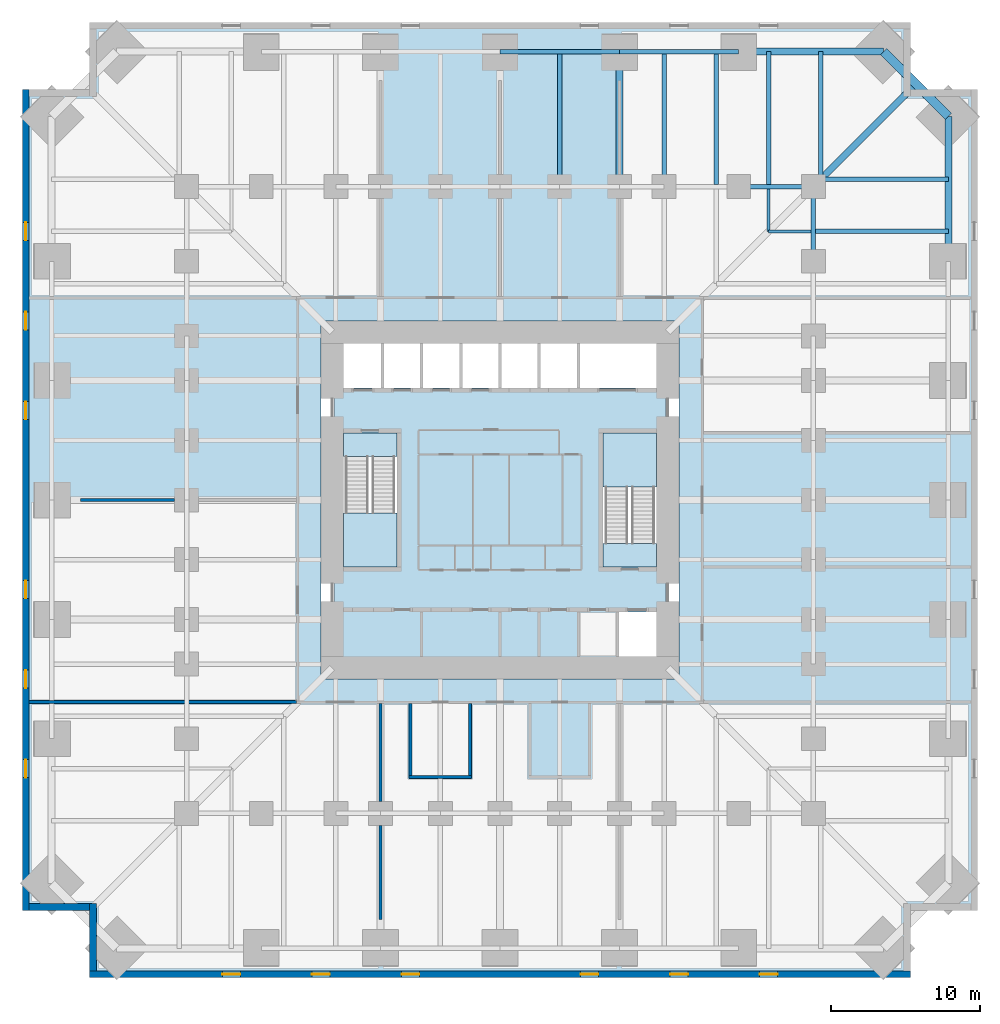
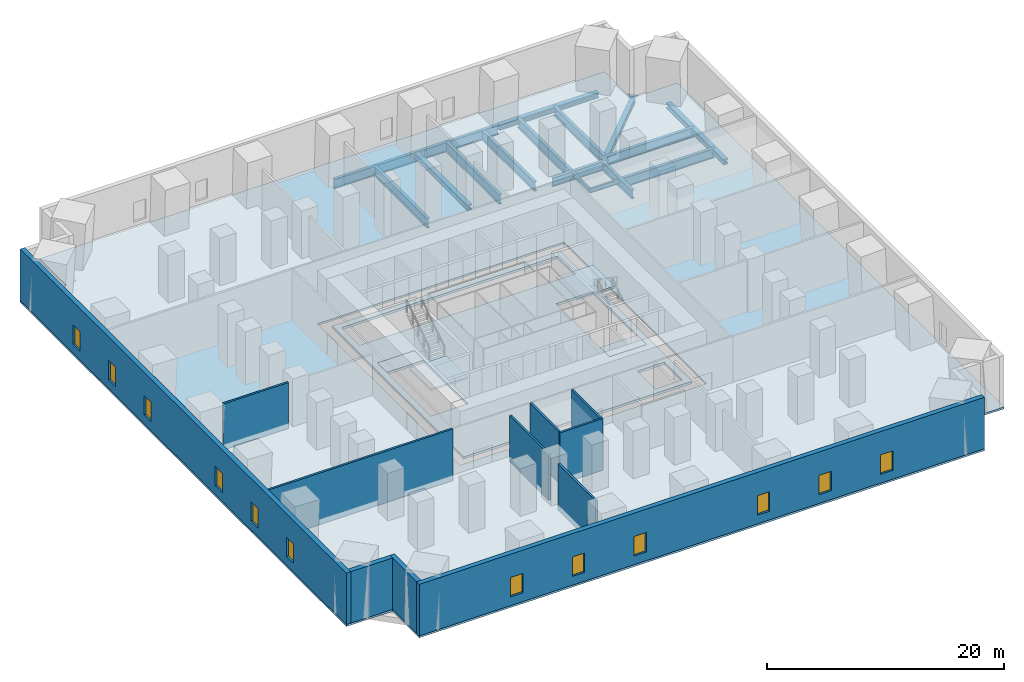
# One storey, part 3 of 8: 18 beams, 12 windows, 11 walls, 6 slabs, 12 openings, 2 elements without a shape of their own.
"""IFC4 building model written with IfcOpenShell, lengths in metres."""

from ifc_helpers import new_model, si_unit, direction, frame, frame_2d, origin, origin_2d, place, context, subcontext, project, spatial, polyline, rectangle, hollow_rectangle, i_section, outline, extrude, material, layer, layer_set, material_profile, profile_set, type_object, element, fill, aggregate, save


model = new_model("IFC4")

# Units and contexts
model_context = context("Model", 3, precision=1e-05, world=origin(), true_north=direction((0.0, 1.0)))
body_context = subcontext(model_context, "Body", "Model", "MODEL_VIEW")
ifc_project = project(units=[si_unit("LENGTHUNIT", "METRE"), si_unit("AREAUNIT", "SQUARE_METRE"), si_unit("VOLUMEUNIT", "CUBIC_METRE"), si_unit("PLANEANGLEUNIT", "RADIAN"), si_unit("MASSUNIT", "GRAM", prefix="KILO")], contexts=[model_context])

# Site, building, storey
site_placement = place(None, origin())
site = spatial("IfcSite", under=ifc_project, at=site_placement, CompositionType="ELEMENT")
building_placement = place(site_placement, origin())
building = spatial("IfcBuilding", under=site, at=building_placement, Name="Peilmerk Tower", CompositionType="ELEMENT")
storey_placement = place(building_placement, frame((0.0, 0.0, 21.0)))
storey = spatial("IfcBuildingStorey", under=building, at=storey_placement, Name="L04", CompositionType="ELEMENT", Elevation=21.0)

# Beams
ifc_material_1 = material(Name="Steel S355", Category="steel")
ifc_material_profile_1 = material_profile(ifc_material_1, i_section(OverallWidth=0.302001953125, OverallDepth=1.008056640625, WebThickness=0.02099609375, FlangeThickness=0.0400390625, at=origin_2d()), Name="HEM 1000")
ifc_profile_set_1 = profile_set([ifc_material_profile_1], Name="Steel S355")
beam_type_1 = type_object("IfcBeamType", Name="B1 HEM 1000 edge beam", PredefinedType="SPANDREL", material=ifc_profile_set_1)
for number, where, z_axis, x_axis, name in (
    (1, (16.0, 30.050048828125, -0.7041015625), (-1.0, 0.0, 0.0), (0.0, -1.0, 0.0), "Edge beam L04"),
    (2, (8.0, 30.050048828125, -0.7041015625), (-1.0, 0.0, 0.0), (0.0, -1.0, 0.0), "Edge beam L04"),
):
    element("IfcBeam", number, at=place(storey_placement, frame(where, z_axis=z_axis, x_axis=x_axis)), inside=storey, type_object=beam_type_1, Name=name, PredefinedType="SPANDREL", context=body_context, shape_type="SweptSolid", body=[
        extrude(i_section(OverallWidth=0.302001953125, OverallDepth=1.008056640625, WebThickness=0.02099609375, FlangeThickness=0.0400390625, at=origin_2d()), origin(), (0.0, 0.0, 1.0), 8.0),
    ])
ifc_material_profile_2 = material_profile(ifc_material_1, i_section(OverallWidth=0.300048828125, OverallDepth=0.989990234375, WebThickness=0.0166015625, FlangeThickness=0.031005859375, at=origin_2d()), Name="HEA 1000")
ifc_profile_set_2 = profile_set([ifc_material_profile_2], Name="Steel S355")
beam_type_2 = type_object("IfcBeamType", Name="B14 HEA 1000 floor girder", PredefinedType="BEAM", material=ifc_profile_set_2)
for number, where, z_axis, x_axis, name in (
    (3, (14.5, 21.15087890625, -0.695068359375), (0.0, 1.0, 0.0), (-1.0, 0.0, 0.0), "Floor beam L04"),
    (4, (18.0, 21.15087890625, -0.695068359375), (0.0, 1.0, 0.0), (-1.0, 0.0, 0.0), "Floor beam L04"),
    (5, (21.15087890625, 18.0, -0.695068359375), (1.0, 0.0, 0.0), (0.0, 1.0, 0.0), "Floor beam L04"),
):
    element("IfcBeam", number, at=place(storey_placement, frame(where, z_axis=z_axis, x_axis=x_axis)), inside=storey, type_object=beam_type_2, Name=name, PredefinedType="BEAM", context=body_context, shape_type="SweptSolid", body=[
        extrude(i_section(OverallWidth=0.300048828125, OverallDepth=0.989990234375, WebThickness=0.0166015625, FlangeThickness=0.031005859375, at=origin_2d()), origin(), (0.0, 0.0, 1.0), 8.899169921875),
    ])
for number, where, z_axis, x_axis, name in (
    (6, (21.5, 21.5, -0.695068359375), (0.0, 1.0, 0.0), (-1.0, 0.0, 0.0), "Floor beam L04"),
    (7, (21.5, 21.5, -0.695068359375), (1.0, 0.0, 0.0), (0.0, 1.0, 0.0), "Floor beam L04"),
):
    element("IfcBeam", number, at=place(storey_placement, frame(where, z_axis=z_axis, x_axis=x_axis)), inside=storey, type_object=beam_type_2, Name=name, PredefinedType="BEAM", context=body_context, shape_type="SweptSolid", body=[
        extrude(i_section(OverallWidth=0.300048828125, OverallDepth=0.989990234375, WebThickness=0.0166015625, FlangeThickness=0.031005859375, at=origin_2d()), origin(), (0.0, 0.0, 1.0), 8.550048828125),
    ])
ifc_material_2 = material(Name="Steel S460", Category="steel")
ifc_material_profile_3 = material_profile(ifc_material_2, i_section(OverallWidth=0.4541015625, OverallDepth=0.569091796875, WebThickness=0.077880859375, FlangeThickness=0.125, at=origin_2d()), Name="HD 400x1086")
ifc_profile_set_3 = profile_set([ifc_material_profile_3], Name="Steel S460")
beam_type_3 = type_object("IfcBeamType", Name="B17 HD 400x1086 edge beam", PredefinedType="SPANDREL", material=ifc_profile_set_3)
for number, where, z_axis, x_axis, name in (
    (8, (25.699951171875, 30.050048828125, -0.484619140625), (-1.0, 0.0, 0.0), (0.0, -1.0, 0.0), "Edge beam L04"),
    (9, (30.050048828125, 16.0, -0.484619140625), (0.0, 1.0, 0.0), (-1.0, 0.0, 0.0), "Edge beam L04"),
):
    element("IfcBeam", number, at=place(storey_placement, frame(where, z_axis=z_axis, x_axis=x_axis)), inside=storey, type_object=beam_type_3, Name=name, PredefinedType="SPANDREL", context=body_context, shape_type="SweptSolid", body=[
        extrude(i_section(OverallWidth=0.4541015625, OverallDepth=0.569091796875, WebThickness=0.077880859375, FlangeThickness=0.125, at=origin_2d()), origin(), (0.0, 0.0, 1.0), 9.699951171875),
    ])
ifc_material_profile_4 = material_profile(ifc_material_1, i_section(OverallWidth=0.302001953125, OverallDepth=0.909912109375, WebThickness=0.02099609375, FlangeThickness=0.0400390625, at=origin_2d()), Name="HEM 900")
ifc_profile_set_4 = profile_set([ifc_material_profile_4], Name="Steel S355")
beam_type_4 = type_object("IfcBeamType", Name="B18 HEM 900 ring girder", PredefinedType="BEAM", material=ifc_profile_set_4)
for number, where, z_axis, x_axis, name in (
    (10, (21.0, 21.0, -0.655029296875), (-1.0, 0.0, 0.0), (0.0, -1.0, 0.0), "Ring girder L04"),
    (11, (21.0, 16.0, -0.655029296875), (0.0, 1.0, 0.0), (-1.0, 0.0, 0.0), "Ring girder L04"),
):
    element("IfcBeam", number, at=place(storey_placement, frame(where, z_axis=z_axis, x_axis=x_axis)), inside=storey, type_object=beam_type_4, Name=name, PredefinedType="BEAM", context=body_context, shape_type="SweptSolid", body=[
        extrude(i_section(OverallWidth=0.302001953125, OverallDepth=0.909912109375, WebThickness=0.02099609375, FlangeThickness=0.0400390625, at=origin_2d()), origin(), (0.0, 0.0, 1.0), 5.0),
    ])
ifc_material_profile_5 = material_profile(ifc_material_2, hollow_rectangle(XDim=0.60009765625, YDim=0.60009765625, WallThickness=0.06005859375, at=origin_2d()), Name="BOX 600x600x60")
ifc_profile_set_5 = profile_set([ifc_material_profile_5], Name="Steel S460")
beam_type_5 = type_object("IfcBeamType", Name="B20 BOX 600x600x60 notch beam", PredefinedType="SPANDREL", material=ifc_profile_set_5)
beam_1_placement = place(storey_placement, frame((25.699951171875, 30.050048828125, -0.5), z_axis=(0.707106781187, -0.707106781187, 0.0), x_axis=(0.707106781187, 0.707106781187, 0.0)))
element("IfcBeam", 12, at=beam_1_placement, inside=storey, type_object=beam_type_5, Name="Notch beam L04", PredefinedType="SPANDREL", context=body_context, shape_type="SweptSolid", body=[
    extrude(hollow_rectangle(XDim=0.60009765625, YDim=0.60009765625, WallThickness=0.06005859375, at=origin_2d()), origin(), (0.0, 0.0, 1.0), 6.15185546875),
])
ifc_material_profile_6 = material_profile(ifc_material_1, i_section(OverallWidth=0.18994140625, OverallDepth=0.449951171875, WebThickness=0.009521484375, FlangeThickness=0.0146484375, at=origin_2d()), Name="IPE 450")
ifc_profile_set_6 = profile_set([ifc_material_profile_6], Name="Steel S355")
beam_type_6 = type_object("IfcBeamType", Name="B21 IPE 450 floor beam", PredefinedType="BEAM", material=ifc_profile_set_6)
for number, where, z_axis, x_axis, name in (
    (13, (18.0, 18.0, -0.425048828125), (0.0, 1.0, 0.0), (-1.0, 0.0, 0.0), "Floor beam L04"),
    (14, (18.0, 18.0, -0.425048828125), (1.0, 0.0, 0.0), (0.0, 1.0, 0.0), "Floor beam L04"),
):
    element("IfcBeam", number, at=place(storey_placement, frame(where, z_axis=z_axis, x_axis=x_axis)), inside=storey, type_object=beam_type_6, Name=name, PredefinedType="BEAM", context=body_context, shape_type="SweptSolid", body=[
        extrude(i_section(OverallWidth=0.18994140625, OverallDepth=0.449951171875, WebThickness=0.009521484375, FlangeThickness=0.0146484375, at=origin_2d()), origin(), (0.0, 0.0, 1.0), 2.84912109375),
    ])
ifc_material_profile_7 = material_profile(ifc_material_1, i_section(OverallWidth=0.300048828125, OverallDepth=1.0, WebThickness=0.01904296875, FlangeThickness=0.035888671875, at=origin_2d()), Name="HEB 1000")
ifc_profile_set_7 = profile_set([ifc_material_profile_7], Name="Steel S355")
beam_type_7 = type_object("IfcBeamType", Name="B5 HEB 1000 floor girder", PredefinedType="BEAM", material=ifc_profile_set_7)
for number, where, z_axis, x_axis, name in (
    (15, (11.0, 21.0, -0.699951171875), (0.0, 1.0, 0.0), (-1.0, 0.0, 0.0), "Floor beam L04"),
    (16, (4.0, 21.0, -0.699951171875), (0.0, 1.0, 0.0), (-1.0, 0.0, 0.0), "Floor beam L04"),
):
    element("IfcBeam", number, at=place(storey_placement, frame(where, z_axis=z_axis, x_axis=x_axis)), inside=storey, type_object=beam_type_7, Name=name, PredefinedType="BEAM", context=body_context, shape_type="SweptSolid", body=[
        extrude(i_section(OverallWidth=0.300048828125, OverallDepth=1.0, WebThickness=0.01904296875, FlangeThickness=0.035888671875, at=origin_2d()), origin(), (0.0, 0.0, 1.0), 9.050048828125),
    ])
ifc_material_profile_8 = material_profile(ifc_material_2, i_section(OverallWidth=0.4541015625, OverallDepth=0.569091796875, WebThickness=0.077880859375, FlangeThickness=0.125, at=origin_2d()), Name="HD 400x1086")
ifc_profile_set_8 = profile_set([ifc_material_profile_8], Name="Steel S460")
beam_type_8 = type_object("IfcBeamType", Name="B9 HD 400x1086 corner girder", PredefinedType="BEAM", material=ifc_profile_set_8)
beam_2_placement = place(storey_placement, frame((8.0, 21.0, -0.484619140625), z_axis=(0.0, 1.0, 0.0), x_axis=(-1.0, 0.0, 0.0)))
element("IfcBeam", 17, at=beam_2_placement, inside=storey, type_object=beam_type_8, Name="Floor girder L04", PredefinedType="BEAM", context=body_context, shape_type="SweptSolid", body=[
    extrude(i_section(OverallWidth=0.4541015625, OverallDepth=0.569091796875, WebThickness=0.077880859375, FlangeThickness=0.125, at=origin_2d()), origin(), (0.0, 0.0, 1.0), 9.050048828125),
])
beam_3_placement = place(storey_placement, frame((21.0, 21.0, -0.484619140625), z_axis=(0.707106781187, 0.707106781187, 0.0), x_axis=(-0.707106781187, 0.707106781187, 0.0)))
element("IfcBeam", 18, at=beam_3_placement, inside=storey, type_object=beam_type_8, Name="Corner girder L04", PredefinedType="BEAM", context=body_context, shape_type="SweptSolid", body=[
    extrude(i_section(OverallWidth=0.4541015625, OverallDepth=0.569091796875, WebThickness=0.077880859375, FlangeThickness=0.125, at=origin_2d()), origin(), (0.0, 0.0, 1.0), 9.72265625),
])

# Slabs
ifc_material_3 = material(Name="Concrete C55/67", Category="concrete")
ifc_layer_1 = layer(ifc_material_3, 0.25)
ifc_layer_set_1 = layer_set([ifc_layer_1], Name="Concrete C55/67")
slab_type_1 = type_object("IfcSlabType", Name="CS250 250 core floor slab", PredefinedType="FLOOR", material=ifc_layer_set_1)
slab_1_placement = place(storey_placement, frame((0.0, 0.0, -0.25)))
element("IfcSlab", 19, at=slab_1_placement, inside=storey, type_object=slab_type_1, Name="Core slab L04", PredefinedType="FLOOR", context=body_context, shape_type="SweptSolid", body=[
    extrude(outline(polyline([(-11.10009765625, 11.10009765625), (-11.10009765625, -11.10009765625), (11.10009765625, -11.10009765625), (11.10009765625, 11.10009765625), (-11.10009765625, 11.10009765625)]), holes=[polyline([(10.5, 7.5), (-10.5, 7.5), (-10.5, 10.5), (10.5, 10.5), (10.5, 7.5)]), polyline([(7.875, -10.5), (7.875, -7.5), (10.5, -7.5), (10.5, -10.5), (7.875, -10.5)]), polyline([(-10.5, 4.5), (-6.89990234375, 4.5), (-6.89990234375, -4.5), (-10.5, -4.5), (-10.5, 4.5)]), polyline([(10.5, 4.5), (10.5, -4.5), (6.89990234375, -4.5), (6.89990234375, 4.5), (10.5, 4.5)])]), origin(), (0.0, 0.0, 1.0), 0.25),
])
ifc_material_4 = material(Name="Concrete C35/45", Category="concrete")
ifc_layer_2 = layer(ifc_material_4, 0.199951171875)
ifc_layer_set_2 = layer_set([ifc_layer_2], Name="Concrete C35/45")
slab_type_2 = type_object("IfcSlabType", Name="FS200 200 composite floor slab", PredefinedType="FLOOR", material=ifc_layer_set_2)
slab_2_placement = place(storey_placement, frame((0.0, 0.0, -0.199951171875)))
element("IfcSlab", 20, at=slab_2_placement, inside=storey, type_object=slab_type_2, Name="Floor slab L04", PredefinedType="FLOOR", context=body_context, shape_type="SweptSolid", body=[
    extrude(outline(polyline([(-27.5, -32.0), (27.5, -32.0), (27.5, -27.5), (32.0, -27.5), (32.0, 27.5), (27.5, 27.5), (27.5, 32.0), (-27.5, 32.0), (-27.5, 27.5), (-32.0, 27.5), (-32.0, -27.5), (-27.5, -27.5), (-27.5, -32.0)]), holes=[polyline([(12.0, 12.0), (12.0, -12.0), (-12.0, -12.0), (-12.0, 12.0), (12.0, 12.0)])]), origin(), (0.0, 0.0, 1.0), 0.199951171875),
])

# Stair, slab
ifc_material_5 = material(Name="Precast concrete C45/55", Category="concrete")
stair_type_1 = type_object("IfcStairType", Name="ST1 30 risers of 183.3", PredefinedType="HALF_TURN_STAIR", material=ifc_material_5)
stair_1_placement = place(storey_placement, origin())
stair_1 = element("IfcStair", 21, at=stair_1_placement, inside=storey, type_object=stair_type_1, Name="Stair 1 L04 to L05", PredefinedType="HALF_TURN_STAIR")
ifc_layer_3 = layer(ifc_material_4, 0.199951171875)
ifc_layer_set_3 = layer_set([ifc_layer_3], Name="Concrete C35/45")
slab_type_3 = type_object("IfcSlabType", Name="SL1 200 concrete stair landing", PredefinedType="LANDING", material=ifc_layer_set_3)
slab_3_placement = place(storey_placement, frame((0.0, 0.0, 2.550048828125)))
slab_3 = element("IfcSlab", 22, at=slab_3_placement, type_object=slab_type_3, Name="ST1 landing 1", PredefinedType="LANDING", context=body_context, shape_type="SweptSolid", body=[
    extrude(outline(polyline([(-10.5, -4.5), (-6.89990234375, -4.5), (-6.89990234375, -0.8798828125), (-10.5, -0.8798828125), (-10.5, -4.5)])), origin(), (0.0, 0.0, 1.0), 0.199951171875),
])

stair_type_2 = type_object("IfcStairType", Name="ST2 30 risers of 183.3", PredefinedType="HALF_TURN_STAIR", material=ifc_material_5)
stair_2_placement = place(storey_placement, origin())
stair_2 = element("IfcStair", 23, at=stair_2_placement, inside=storey, type_object=stair_type_2, Name="Stair 2 L04 to L05", PredefinedType="HALF_TURN_STAIR")
slab_4_placement = place(storey_placement, frame((0.0, 0.0, 2.550048828125)))
slab_4 = element("IfcSlab", 24, at=slab_4_placement, type_object=slab_type_3, Name="ST2 landing 1", PredefinedType="LANDING", context=body_context, shape_type="SweptSolid", body=[
    extrude(outline(polyline([(6.89990234375, 0.8798828125), (10.5, 0.8798828125), (10.5, 4.5), (6.89990234375, 4.5), (6.89990234375, 0.8798828125)])), origin(), (0.0, 0.0, 1.0), 0.199951171875),
])

# Slab
ifc_layer_4 = layer(ifc_material_4, 0.25)
ifc_layer_set_4 = layer_set([ifc_layer_4], Name="Concrete C35/45")
slab_type_4 = type_object("IfcSlabType", Name="SL2 250 concrete floor landing", PredefinedType="LANDING", material=ifc_layer_set_4)
slab_5_placement = place(storey_placement, frame((0.0, 0.0, -0.25)))
slab_5 = element("IfcSlab", 25, at=slab_5_placement, type_object=slab_type_4, Name="ST1 floor landing", PredefinedType="LANDING", context=body_context, shape_type="SweptSolid", body=[
    extrude(outline(polyline([(-10.5, 2.89990234375), (-6.89990234375, 2.89990234375), (-6.89990234375, 4.5), (-10.5, 4.5), (-10.5, 2.89990234375)])), origin(), (0.0, 0.0, 1.0), 0.25),
])

aggregate(stair_1, [slab_3, slab_5])

slab_6_placement = place(storey_placement, frame((0.0, 0.0, -0.25)))
slab_6 = element("IfcSlab", 26, at=slab_6_placement, type_object=slab_type_4, Name="ST2 floor landing", PredefinedType="LANDING", context=body_context, shape_type="SweptSolid", body=[
    extrude(outline(polyline([(6.89990234375, -4.5), (10.5, -4.5), (10.5, -2.89990234375), (6.89990234375, -2.89990234375), (6.89990234375, -4.5)])), origin(), (0.0, 0.0, 1.0), 0.25),
])

aggregate(stair_2, [slab_4, slab_6])

# Wall, openings, windows
ifc_material_6 = material(Name="Precast concrete C45/55, board-marked finish", Category="concrete")
ifc_layer_5 = layer(ifc_material_6, 0.449951171875)
ifc_layer_set_5 = layer_set([ifc_layer_5], Name="Precast concrete C45/55, board-marked finish")
wall_type_1 = type_object("IfcWallType", Name="EW1 450 precast concrete facade wall, board-marked", PredefinedType="SOLIDWALL", material=ifc_layer_set_5)
wall_1_placement = place(storey_placement, frame((-27.5, -31.77490234375, 0.0), z_axis=(0.0, 0.0, 1.0), x_axis=(1.0, 0.0, 0.0)))
wall_1 = element("IfcWall", 27, at=wall_1_placement, inside=storey, type_object=wall_type_1, Name="Facade wall S L04", PredefinedType="SOLIDWALL", context=body_context, shape_type="SweptSolid", body=[
    extrude(rectangle(XDim=55.0, YDim=0.449951171875, at=frame_2d((27.5, 0.0))), origin(), (0.0, 0.0, 1.0), 5.300048828125),
])
opening_1_placement = place(wall_1_placement, frame((8.89990234375, 0.0, 0.89990234375)))
opening_1 = element("IfcOpeningElement", 28, at=opening_1_placement, cuts=wall_1, Name="Opening W2", PredefinedType="OPENING", context=body_context, shape_type="SweptSolid", body=[
    extrude(rectangle(XDim=1.199951171875, YDim=2.0, at=frame_2d((0.60009765625, 1.0))), frame((0.0, 0.23486328125, 0.0), z_axis=(0.0, -1.0, 0.0), x_axis=(1.0, 0.0, 0.0)), (0.0, 0.0, 1.0), 0.469970703125),
])
opening_2_placement = place(wall_1_placement, frame((14.89990234375, 0.0, 0.89990234375)))
opening_2 = element("IfcOpeningElement", 29, at=opening_2_placement, cuts=wall_1, Name="Opening W2", PredefinedType="OPENING", context=body_context, shape_type="SweptSolid", body=[
    extrude(rectangle(XDim=1.199951171875, YDim=2.0, at=frame_2d((0.60009765625, 1.0))), frame((0.0, 0.23486328125, 0.0), z_axis=(0.0, -1.0, 0.0), x_axis=(1.0, 0.0, 0.0)), (0.0, 0.0, 1.0), 0.469970703125),
])
opening_3_placement = place(wall_1_placement, frame((20.89990234375, 0.0, 0.89990234375)))
opening_3 = element("IfcOpeningElement", 30, at=opening_3_placement, cuts=wall_1, Name="Opening W2", PredefinedType="OPENING", context=body_context, shape_type="SweptSolid", body=[
    extrude(rectangle(XDim=1.199951171875, YDim=2.0, at=frame_2d((0.60009765625, 1.0))), frame((0.0, 0.23486328125, 0.0), z_axis=(0.0, -1.0, 0.0), x_axis=(1.0, 0.0, 0.0)), (0.0, 0.0, 1.0), 0.469970703125),
])
opening_4_placement = place(wall_1_placement, frame((32.89990234375, 0.0, 0.89990234375)))
opening_4 = element("IfcOpeningElement", 31, at=opening_4_placement, cuts=wall_1, Name="Opening W2", PredefinedType="OPENING", context=body_context, shape_type="SweptSolid", body=[
    extrude(rectangle(XDim=1.199951171875, YDim=2.0, at=frame_2d((0.60009765625, 1.0))), frame((0.0, 0.23486328125, 0.0), z_axis=(0.0, -1.0, 0.0), x_axis=(1.0, 0.0, 0.0)), (0.0, 0.0, 1.0), 0.469970703125),
])
opening_5_placement = place(wall_1_placement, frame((38.89990234375, 0.0, 0.89990234375)))
opening_5 = element("IfcOpeningElement", 32, at=opening_5_placement, cuts=wall_1, Name="Opening W2", PredefinedType="OPENING", context=body_context, shape_type="SweptSolid", body=[
    extrude(rectangle(XDim=1.199951171875, YDim=2.0, at=frame_2d((0.60009765625, 1.0))), frame((0.0, 0.23486328125, 0.0), z_axis=(0.0, -1.0, 0.0), x_axis=(1.0, 0.0, 0.0)), (0.0, 0.0, 1.0), 0.469970703125),
])
opening_6_placement = place(wall_1_placement, frame((44.89990234375, 0.0, 0.89990234375)))
opening_6 = element("IfcOpeningElement", 33, at=opening_6_placement, cuts=wall_1, Name="Opening W2", PredefinedType="OPENING", context=body_context, shape_type="SweptSolid", body=[
    extrude(rectangle(XDim=1.199951171875, YDim=2.0, at=frame_2d((0.60009765625, 1.0))), frame((0.0, 0.23486328125, 0.0), z_axis=(0.0, -1.0, 0.0), x_axis=(1.0, 0.0, 0.0)), (0.0, 0.0, 1.0), 0.469970703125),
])
ifc_material_7 = material(Name="Aluminium frame, clear double glazing", Category="aluminium")
window_type = type_object("IfcWindowType", Name="W2 1200x2000 data hall slot window", PartitioningType="SINGLE_PANEL", PredefinedType="WINDOW", material=ifc_material_7)
window_1_placement = place(opening_1_placement, origin())
window_1 = element("IfcWindow", 34, at=window_1_placement, inside=storey, type_object=window_type, Name="Window W2 L04", OverallHeight=2.0, OverallWidth=1.199951171875, PartitioningType="SINGLE_PANEL", PredefinedType="WINDOW", context=body_context, shape_type="SweptSolid", body=[
    extrude(rectangle(XDim=1.199951171875, YDim=2.0, at=frame_2d((0.60009765625, 1.0))), frame((0.0, 0.030029296875, 0.0), z_axis=(0.0, -1.0, 0.0), x_axis=(1.0, 0.0, 0.0)), (0.0, 0.0, 1.0), 0.06005859375),
])
fill(opening_1, window_1)
window_2_placement = place(opening_2_placement, origin())
window_2 = element("IfcWindow", 35, at=window_2_placement, inside=storey, type_object=window_type, Name="Window W2 L04", OverallHeight=2.0, OverallWidth=1.199951171875, PartitioningType="SINGLE_PANEL", PredefinedType="WINDOW", context=body_context, shape_type="SweptSolid", body=[
    extrude(rectangle(XDim=1.199951171875, YDim=2.0, at=frame_2d((0.60009765625, 1.0))), frame((0.0, 0.030029296875, 0.0), z_axis=(0.0, -1.0, 0.0), x_axis=(1.0, 0.0, 0.0)), (0.0, 0.0, 1.0), 0.06005859375),
])
fill(opening_2, window_2)
window_3_placement = place(opening_3_placement, origin())
window_3 = element("IfcWindow", 36, at=window_3_placement, inside=storey, type_object=window_type, Name="Window W2 L04", OverallHeight=2.0, OverallWidth=1.199951171875, PartitioningType="SINGLE_PANEL", PredefinedType="WINDOW", context=body_context, shape_type="SweptSolid", body=[
    extrude(rectangle(XDim=1.199951171875, YDim=2.0, at=frame_2d((0.60009765625, 1.0))), frame((0.0, 0.030029296875, 0.0), z_axis=(0.0, -1.0, 0.0), x_axis=(1.0, 0.0, 0.0)), (0.0, 0.0, 1.0), 0.06005859375),
])
fill(opening_3, window_3)
window_4_placement = place(opening_4_placement, origin())
window_4 = element("IfcWindow", 37, at=window_4_placement, inside=storey, type_object=window_type, Name="Window W2 L04", OverallHeight=2.0, OverallWidth=1.199951171875, PartitioningType="SINGLE_PANEL", PredefinedType="WINDOW", context=body_context, shape_type="SweptSolid", body=[
    extrude(rectangle(XDim=1.199951171875, YDim=2.0, at=frame_2d((0.60009765625, 1.0))), frame((0.0, 0.030029296875, 0.0), z_axis=(0.0, -1.0, 0.0), x_axis=(1.0, 0.0, 0.0)), (0.0, 0.0, 1.0), 0.06005859375),
])
fill(opening_4, window_4)
window_5_placement = place(opening_5_placement, origin())
window_5 = element("IfcWindow", 38, at=window_5_placement, inside=storey, type_object=window_type, Name="Window W2 L04", OverallHeight=2.0, OverallWidth=1.199951171875, PartitioningType="SINGLE_PANEL", PredefinedType="WINDOW", context=body_context, shape_type="SweptSolid", body=[
    extrude(rectangle(XDim=1.199951171875, YDim=2.0, at=frame_2d((0.60009765625, 1.0))), frame((0.0, 0.030029296875, 0.0), z_axis=(0.0, -1.0, 0.0), x_axis=(1.0, 0.0, 0.0)), (0.0, 0.0, 1.0), 0.06005859375),
])
fill(opening_5, window_5)
window_6_placement = place(opening_6_placement, origin())
window_6 = element("IfcWindow", 39, at=window_6_placement, inside=storey, type_object=window_type, Name="Window W2 L04", OverallHeight=2.0, OverallWidth=1.199951171875, PartitioningType="SINGLE_PANEL", PredefinedType="WINDOW", context=body_context, shape_type="SweptSolid", body=[
    extrude(rectangle(XDim=1.199951171875, YDim=2.0, at=frame_2d((0.60009765625, 1.0))), frame((0.0, 0.030029296875, 0.0), z_axis=(0.0, -1.0, 0.0), x_axis=(1.0, 0.0, 0.0)), (0.0, 0.0, 1.0), 0.06005859375),
])
fill(opening_6, window_6)

wall_2_placement = place(storey_placement, frame((-31.77490234375, 27.5, 0.0), z_axis=(0.0, 0.0, 1.0), x_axis=(0.0, -1.0, 0.0)))
wall_2 = element("IfcWall", 40, at=wall_2_placement, inside=storey, type_object=wall_type_1, Name="Facade wall W L04", PredefinedType="SOLIDWALL", context=body_context, shape_type="SweptSolid", body=[
    extrude(rectangle(XDim=55.0, YDim=0.449951171875, at=frame_2d((27.5, 0.0))), origin(), (0.0, 0.0, 1.0), 5.300048828125),
])
opening_7_placement = place(wall_2_placement, frame((8.89990234375, 0.0, 0.89990234375)))
opening_7 = element("IfcOpeningElement", 41, at=opening_7_placement, cuts=wall_2, Name="Opening W2", PredefinedType="OPENING", context=body_context, shape_type="SweptSolid", body=[
    extrude(rectangle(XDim=1.199951171875, YDim=2.0, at=frame_2d((0.60009765625, 1.0))), frame((0.0, 0.23486328125, 0.0), z_axis=(0.0, -1.0, 0.0), x_axis=(1.0, 0.0, 0.0)), (0.0, 0.0, 1.0), 0.469970703125),
])
opening_8_placement = place(wall_2_placement, frame((14.89990234375, 0.0, 0.89990234375)))
opening_8 = element("IfcOpeningElement", 42, at=opening_8_placement, cuts=wall_2, Name="Opening W2", PredefinedType="OPENING", context=body_context, shape_type="SweptSolid", body=[
    extrude(rectangle(XDim=1.199951171875, YDim=2.0, at=frame_2d((0.60009765625, 1.0))), frame((0.0, 0.23486328125, 0.0), z_axis=(0.0, -1.0, 0.0), x_axis=(1.0, 0.0, 0.0)), (0.0, 0.0, 1.0), 0.469970703125),
])
opening_9_placement = place(wall_2_placement, frame((20.89990234375, 0.0, 0.89990234375)))
opening_9 = element("IfcOpeningElement", 43, at=opening_9_placement, cuts=wall_2, Name="Opening W2", PredefinedType="OPENING", context=body_context, shape_type="SweptSolid", body=[
    extrude(rectangle(XDim=1.199951171875, YDim=2.0, at=frame_2d((0.60009765625, 1.0))), frame((0.0, 0.23486328125, 0.0), z_axis=(0.0, -1.0, 0.0), x_axis=(1.0, 0.0, 0.0)), (0.0, 0.0, 1.0), 0.469970703125),
])
opening_10_placement = place(wall_2_placement, frame((32.89990234375, 0.0, 0.89990234375)))
opening_10 = element("IfcOpeningElement", 44, at=opening_10_placement, cuts=wall_2, Name="Opening W2", PredefinedType="OPENING", context=body_context, shape_type="SweptSolid", body=[
    extrude(rectangle(XDim=1.199951171875, YDim=2.0, at=frame_2d((0.60009765625, 1.0))), frame((0.0, 0.23486328125, 0.0), z_axis=(0.0, -1.0, 0.0), x_axis=(1.0, 0.0, 0.0)), (0.0, 0.0, 1.0), 0.469970703125),
])
opening_11_placement = place(wall_2_placement, frame((38.89990234375, 0.0, 0.89990234375)))
opening_11 = element("IfcOpeningElement", 45, at=opening_11_placement, cuts=wall_2, Name="Opening W2", PredefinedType="OPENING", context=body_context, shape_type="SweptSolid", body=[
    extrude(rectangle(XDim=1.199951171875, YDim=2.0, at=frame_2d((0.60009765625, 1.0))), frame((0.0, 0.23486328125, 0.0), z_axis=(0.0, -1.0, 0.0), x_axis=(1.0, 0.0, 0.0)), (0.0, 0.0, 1.0), 0.469970703125),
])
opening_12_placement = place(wall_2_placement, frame((44.89990234375, 0.0, 0.89990234375)))
opening_12 = element("IfcOpeningElement", 46, at=opening_12_placement, cuts=wall_2, Name="Opening W2", PredefinedType="OPENING", context=body_context, shape_type="SweptSolid", body=[
    extrude(rectangle(XDim=1.199951171875, YDim=2.0, at=frame_2d((0.60009765625, 1.0))), frame((0.0, 0.23486328125, 0.0), z_axis=(0.0, -1.0, 0.0), x_axis=(1.0, 0.0, 0.0)), (0.0, 0.0, 1.0), 0.469970703125),
])
window_7_placement = place(opening_7_placement, origin())
window_7 = element("IfcWindow", 47, at=window_7_placement, inside=storey, type_object=window_type, Name="Window W2 L04", OverallHeight=2.0, OverallWidth=1.199951171875, PartitioningType="SINGLE_PANEL", PredefinedType="WINDOW", context=body_context, shape_type="SweptSolid", body=[
    extrude(rectangle(XDim=1.199951171875, YDim=2.0, at=frame_2d((0.60009765625, 1.0))), frame((0.0, 0.030029296875, 0.0), z_axis=(0.0, -1.0, 0.0), x_axis=(1.0, 0.0, 0.0)), (0.0, 0.0, 1.0), 0.06005859375),
])
fill(opening_7, window_7)
window_8_placement = place(opening_8_placement, origin())
window_8 = element("IfcWindow", 48, at=window_8_placement, inside=storey, type_object=window_type, Name="Window W2 L04", OverallHeight=2.0, OverallWidth=1.199951171875, PartitioningType="SINGLE_PANEL", PredefinedType="WINDOW", context=body_context, shape_type="SweptSolid", body=[
    extrude(rectangle(XDim=1.199951171875, YDim=2.0, at=frame_2d((0.60009765625, 1.0))), frame((0.0, 0.030029296875, 0.0), z_axis=(0.0, -1.0, 0.0), x_axis=(1.0, 0.0, 0.0)), (0.0, 0.0, 1.0), 0.06005859375),
])
fill(opening_8, window_8)
window_9_placement = place(opening_9_placement, origin())
window_9 = element("IfcWindow", 49, at=window_9_placement, inside=storey, type_object=window_type, Name="Window W2 L04", OverallHeight=2.0, OverallWidth=1.199951171875, PartitioningType="SINGLE_PANEL", PredefinedType="WINDOW", context=body_context, shape_type="SweptSolid", body=[
    extrude(rectangle(XDim=1.199951171875, YDim=2.0, at=frame_2d((0.60009765625, 1.0))), frame((0.0, 0.030029296875, 0.0), z_axis=(0.0, -1.0, 0.0), x_axis=(1.0, 0.0, 0.0)), (0.0, 0.0, 1.0), 0.06005859375),
])
fill(opening_9, window_9)
window_10_placement = place(opening_10_placement, origin())
window_10 = element("IfcWindow", 50, at=window_10_placement, inside=storey, type_object=window_type, Name="Window W2 L04", OverallHeight=2.0, OverallWidth=1.199951171875, PartitioningType="SINGLE_PANEL", PredefinedType="WINDOW", context=body_context, shape_type="SweptSolid", body=[
    extrude(rectangle(XDim=1.199951171875, YDim=2.0, at=frame_2d((0.60009765625, 1.0))), frame((0.0, 0.030029296875, 0.0), z_axis=(0.0, -1.0, 0.0), x_axis=(1.0, 0.0, 0.0)), (0.0, 0.0, 1.0), 0.06005859375),
])
fill(opening_10, window_10)
window_11_placement = place(opening_11_placement, origin())
window_11 = element("IfcWindow", 51, at=window_11_placement, inside=storey, type_object=window_type, Name="Window W2 L04", OverallHeight=2.0, OverallWidth=1.199951171875, PartitioningType="SINGLE_PANEL", PredefinedType="WINDOW", context=body_context, shape_type="SweptSolid", body=[
    extrude(rectangle(XDim=1.199951171875, YDim=2.0, at=frame_2d((0.60009765625, 1.0))), frame((0.0, 0.030029296875, 0.0), z_axis=(0.0, -1.0, 0.0), x_axis=(1.0, 0.0, 0.0)), (0.0, 0.0, 1.0), 0.06005859375),
])
fill(opening_11, window_11)
window_12_placement = place(opening_12_placement, origin())
window_12 = element("IfcWindow", 52, at=window_12_placement, inside=storey, type_object=window_type, Name="Window W2 L04", OverallHeight=2.0, OverallWidth=1.199951171875, PartitioningType="SINGLE_PANEL", PredefinedType="WINDOW", context=body_context, shape_type="SweptSolid", body=[
    extrude(rectangle(XDim=1.199951171875, YDim=2.0, at=frame_2d((0.60009765625, 1.0))), frame((0.0, 0.030029296875, 0.0), z_axis=(0.0, -1.0, 0.0), x_axis=(1.0, 0.0, 0.0)), (0.0, 0.0, 1.0), 0.06005859375),
])
fill(opening_12, window_12)

# Walls
wall_3_placement = place(storey_placement, frame((-27.27490234375, -27.050048828125, 0.0), z_axis=(0.0, 0.0, 1.0), x_axis=(0.0, -1.0, 0.0)))
element("IfcWall", 53, at=wall_3_placement, inside=storey, type_object=wall_type_1, Name="Facade wall SWA L04", PredefinedType="SOLIDWALL", context=body_context, shape_type="SweptSolid", body=[
    extrude(rectangle(XDim=4.5, YDim=0.449951171875, at=frame_2d((2.25, 0.0))), origin(), (0.0, 0.0, 1.0), 5.300048828125),
])
wall_4_placement = place(storey_placement, frame((-27.5, -27.27490234375, 0.0), z_axis=(0.0, 0.0, 1.0), x_axis=(-1.0, 0.0, 0.0)))
element("IfcWall", 54, at=wall_4_placement, inside=storey, type_object=wall_type_1, Name="Facade wall SWB L04", PredefinedType="SOLIDWALL", context=body_context, shape_type="SweptSolid", body=[
    extrude(rectangle(XDim=4.050048828125, YDim=0.449951171875, at=frame_2d((2.02490234375, 0.0))), origin(), (0.0, 0.0, 1.0), 5.300048828125),
])
ifc_material_8 = material(Name="Calcium silicate block", Category="masonry")
ifc_layer_6 = layer(ifc_material_8, 0.199951171875)
ifc_layer_set_6 = layer_set([ifc_layer_6], Name="Calcium silicate block")
wall_type_2 = type_object("IfcWallType", Name="IW2 200 room separating wall, EI 120", PredefinedType="PARTITIONING", material=ifc_layer_set_6)
wall_5_placement = place(storey_placement, frame((-13.625, -13.550048828125, 0.0), z_axis=(0.0, 0.0, 1.0), x_axis=(-1.0, 0.0, 0.0)))
element("IfcWall", 55, at=wall_5_placement, inside=storey, type_object=wall_type_2, Name="Room separating wall SW L04", PredefinedType="PARTITIONING", context=body_context, shape_type="SweptSolid", body=[
    extrude(rectangle(XDim=17.925048828125, YDim=0.199951171875, at=frame_2d((8.96240234375, 0.0))), origin(), (0.0, 0.0, 1.0), 5.300048828125),
])
wall_6_placement = place(storey_placement, frame((-8.0, -13.625, 0.0), z_axis=(0.0, 0.0, 1.0), x_axis=(0.0, -1.0, 0.0)))
element("IfcWall", 56, at=wall_6_placement, inside=storey, type_object=wall_type_2, Name="Room separating wall S1 L04", PredefinedType="PARTITIONING", context=body_context, shape_type="SweptSolid", body=[
    extrude(rectangle(XDim=6.574951171875, YDim=0.199951171875, at=frame_2d((3.28759765625, 0.0))), origin(), (0.0, 0.0, 1.0), 4.73095703125),
])
for number, where, z_axis, x_axis, name in (
    (57, (-8.0, -21.800048828125, 0.0), (0.0, 0.0, 1.0), (0.0, -1.0, 0.0), "Room separating wall S1b L04"),
    (58, (-21.800048828125, 0.0, 0.0), (0.0, 0.0, 1.0), (-1.0, 0.0, 0.0), "Room separating wall W1b L04"),
):
    element("IfcWall", number, at=place(storey_placement, frame(where, z_axis=z_axis, x_axis=x_axis)), inside=storey, type_object=wall_type_2, Name=name, PredefinedType="PARTITIONING", context=body_context, shape_type="SweptSolid", body=[
        extrude(rectangle(XDim=6.3310546875, YDim=0.199951171875, at=frame_2d((3.16552734375, 0.0))), origin(), (0.0, 0.0, 1.0), 4.73095703125),
    ])
wall_7_placement = place(storey_placement, frame((-6.10009765625, -18.550048828125, 0.0), z_axis=(0.0, 0.0, 1.0), x_axis=(1.0, 0.0, 0.0)))
element("IfcWall", 59, at=wall_7_placement, inside=storey, type_object=wall_type_2, Name="Room separating wall Operations office L04", PredefinedType="PARTITIONING", context=body_context, shape_type="SweptSolid", body=[
    extrude(rectangle(XDim=4.2001953125, YDim=0.199951171875, at=frame_2d((2.10009765625, 0.0))), origin(), (0.0, 0.0, 1.0), 5.300048828125),
])
for number, where, z_axis, x_axis, name in (
    (60, (-6.0, -13.625, 0.0), (0.0, 0.0, 1.0), (0.0, -1.0, 0.0), "Room separating wall Operations office L04"),
    (61, (-2.0, -13.625, 0.0), (0.0, 0.0, 1.0), (0.0, -1.0, 0.0), "Room separating wall Operations office L04"),
):
    element("IfcWall", number, at=place(storey_placement, frame(where, z_axis=z_axis, x_axis=x_axis)), inside=storey, type_object=wall_type_2, Name=name, PredefinedType="PARTITIONING", context=body_context, shape_type="SweptSolid", body=[
        extrude(rectangle(XDim=4.824951171875, YDim=0.199951171875, at=frame_2d((2.41259765625, 0.0))), origin(), (0.0, 0.0, 1.0), 5.300048828125),
    ])

save(model, "model.ifc")
